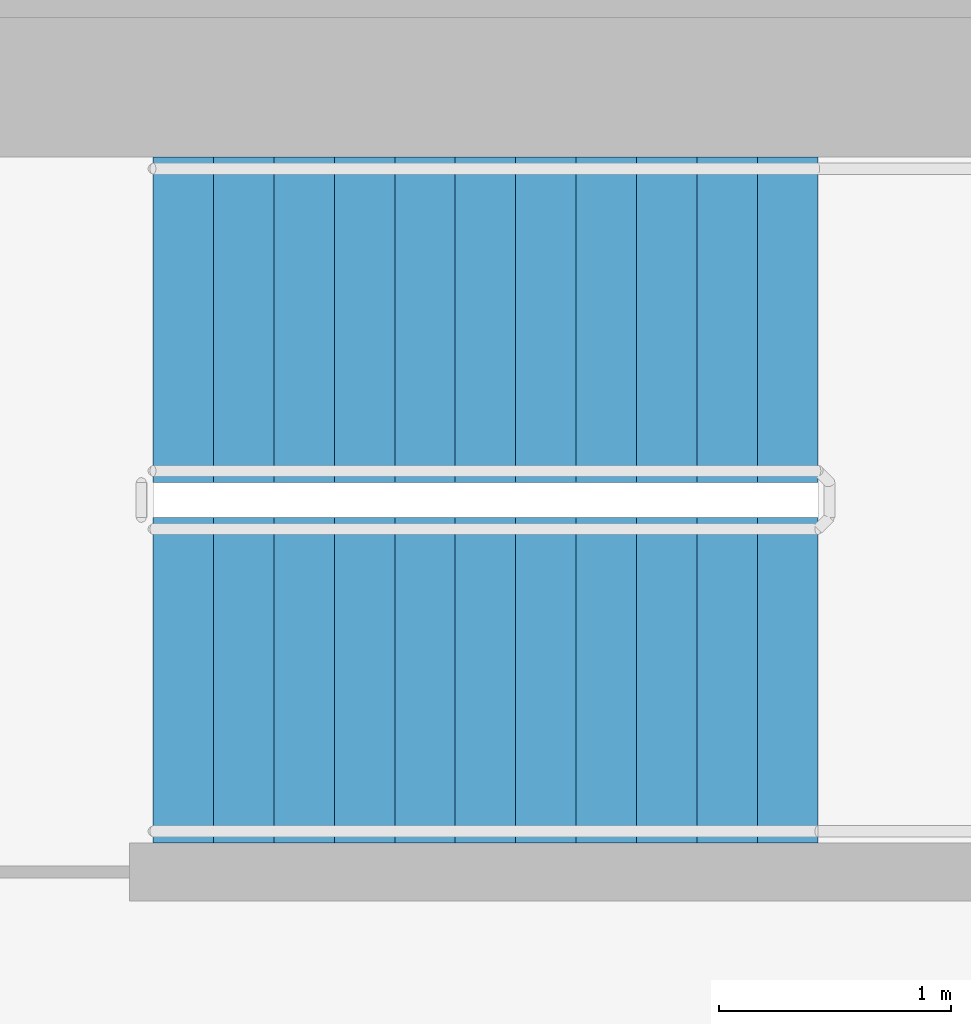
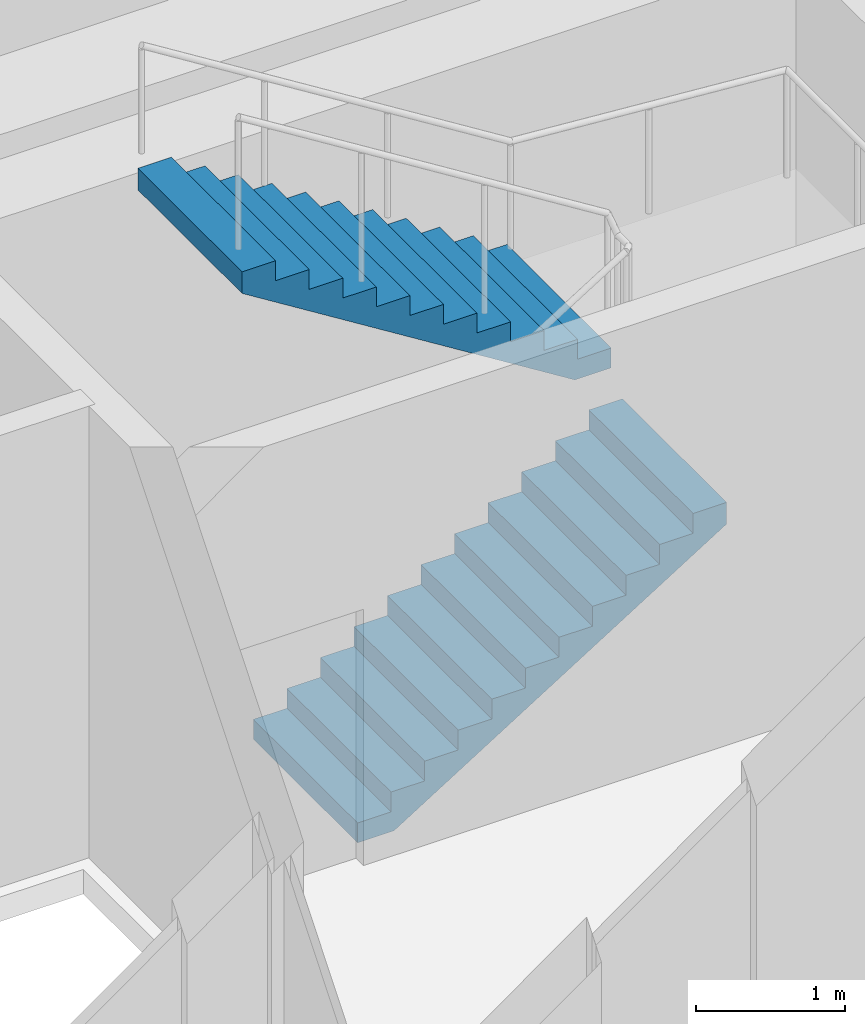
# One storey, part 9 of 10: 2 stair flights, 1 element without a shape of its own.
"""IFC4 building model written with IfcOpenShell, lengths in metres."""

import ifcopenshell
import ifcopenshell.guid

model = None  # the IFC model being written
_history = None  # IfcOwnerHistory: only IFC2X3 demands one
_inside = {}  # id of a spatial element -> (the spatial element, [elements in it])
_under = {}  # id of a project, library or spatial element -> (it, [spatial elements below it])
_declared = {}  # id of a project -> (the project, [libraries it declares])
_typed = {}  # id of a type object -> (the type object, [elements of that type])
_made_of = {}  # id of a material, layer set ... -> (it, [elements and type objects made of it])


def new_model(schema):
    """Start an empty IFC model of exactly this schema.

    Asked for "IFC4X3", IfcOpenShell would pick the latest addendum, in which some entities
    have other attributes; the version numbers below select the first issue.
    IFC2X3 requires an IfcOwnerHistory on every rooted entity: one is made here for all.
    """
    global model, _history
    if schema == "IFC4X3":
        model = ifcopenshell.file(schema_version=(4, 3, 0, 0))
    else:
        model = ifcopenshell.file(schema=schema)
    _inside.clear()
    _under.clear()
    _declared.clear()
    _typed.clear()
    _made_of.clear()
    _history = None
    if model.schema == "IFC2X3":
        org = make("IfcOrganization", Name="unknown")
        user = make(
            "IfcPersonAndOrganization",
            ThePerson=make("IfcPerson", FamilyName="unknown"),
            TheOrganization=org,
        )
        app = make(
            "IfcApplication",
            ApplicationDeveloper=org,
            Version="unknown",
            ApplicationFullName="unknown",
            ApplicationIdentifier="unknown",
        )
        _history = make(
            "IfcOwnerHistory",
            OwningUser=user,
            OwningApplication=app,
            ChangeAction="ADDED",
            CreationDate=0,
        )
    return model


def make(cls, **values):
    """One entity of the class cls with the attributes given. An attribute that is None is left unset."""
    return model.create_entity(
        cls, **{name: value for name, value in values.items() if value is not None}
    )


def rooted(cls, **values):
    """An entity with a GlobalId (a new one), such as an element, a storey or a relation."""
    return make(cls, GlobalId=ifcopenshell.guid.new(), OwnerHistory=_history, **values)


def si_unit(unit_type, name, prefix=None):
    """IfcSIUnit, for example si_unit("LENGTHUNIT", "METRE", prefix="MILLI")."""
    return make("IfcSIUnit", UnitType=unit_type, Prefix=prefix, Name=name)


def assignment(units):
    """IfcUnitAssignment: the units of a project."""
    return None if units is None else make("IfcUnitAssignment", Units=units)


def point(xyz):
    """IfcCartesianPoint."""
    return None if xyz is None else make("IfcCartesianPoint", Coordinates=xyz)


def direction(xyz):
    """IfcDirection."""
    return None if xyz is None else make("IfcDirection", DirectionRatios=xyz)


def frame(location, z_axis=None, x_axis=None):
    """IfcAxis2Placement3D, a coordinate frame: its origin and axes. An axis left out is left unset."""
    return make(
        "IfcAxis2Placement3D",
        Location=point(location),
        Axis=direction(z_axis),
        RefDirection=direction(x_axis),
    )


def origin():
    """The frame at (0, 0, 0) with its axes left unset."""
    return frame((0.0, 0.0, 0.0))


def place(relative_to, where):
    """IfcLocalPlacement: puts the frame where relative to a parent placement (None: the world)."""
    return make(
        "IfcLocalPlacement", PlacementRelTo=relative_to, RelativePlacement=where
    )


def context(
    kind, dimensions, precision=None, world=None, true_north=None, identifier=None
):
    """IfcGeometricRepresentationContext, for example the 3D "Model" context."""
    return make(
        "IfcGeometricRepresentationContext",
        ContextIdentifier=identifier,
        ContextType=kind,
        CoordinateSpaceDimension=dimensions,
        Precision=precision,
        WorldCoordinateSystem=world,
        TrueNorth=true_north,
    )


def subcontext(parent, identifier, kind, view, scale=None):
    """IfcGeometricRepresentationSubContext, for example "Body" below "Model"."""
    return make(
        "IfcGeometricRepresentationSubContext",
        ContextIdentifier=identifier,
        ContextType=kind,
        ParentContext=parent,
        TargetScale=scale,
        TargetView=view,
    )


def project(units=None, contexts=None):
    """IfcProject with its units and contexts."""
    return rooted(
        "IfcProject",
        Name="project",
        RepresentationContexts=contexts,
        UnitsInContext=assignment(units),
    )


def spatial(cls, under=None, at=None, **own):
    """A site, building, storey or space (cls), placed at a placement, below another one or the project."""
    s = rooted(cls, ObjectPlacement=at, **own)
    if under is not None:
        _under.setdefault(under.id(), (under, []))[1].append(s)
    return s


def polyline(points):
    """IfcPolyline through the points."""
    return make("IfcPolyline", Points=[point(p) for p in points])


def outline(outer, holes=None, kind="AREA"):
    """IfcArbitraryClosedProfileDef: a profile drawn as a closed curve; with holes, ...WithVoids."""
    if holes is None:
        return make("IfcArbitraryClosedProfileDef", ProfileType=kind, OuterCurve=outer)
    return make(
        "IfcArbitraryProfileDefWithVoids",
        ProfileType=kind,
        OuterCurve=outer,
        InnerCurves=holes,
    )


def extrude(swept, where, along, depth):
    """IfcExtrudedAreaSolid: the profile swept, set in the frame where, extruded along a direction by depth."""
    return make(
        "IfcExtrudedAreaSolid",
        SweptArea=swept,
        Position=where,
        ExtrudedDirection=direction(along),
        Depth=depth,
    )


def shape(context_of_items, identifier, shape_type, items):
    """IfcShapeRepresentation: the items that make up one representation, for example the "Body"."""
    return make(
        "IfcShapeRepresentation",
        ContextOfItems=context_of_items,
        RepresentationIdentifier=identifier,
        RepresentationType=shape_type,
        Items=items,
    )


def material(Name=None, Category=None):
    """IfcMaterial."""
    return make("IfcMaterial", Name=Name, Category=Category)


def made_of(thing, what):
    """Note that an element or type object is made of a material, layer set ...; save() writes the relation."""
    if what is not None:
        _made_of.setdefault(what.id(), (what, []))[1].append(thing)
    return thing


def type_object(cls, material=None, **own):
    """A type object (cls), such as IfcWallType, which elements share."""
    return made_of(rooted(cls, **own), material)


def element(
    cls,
    number,
    at=None,
    inside=None,
    cuts=None,
    type_object=None,
    material=None,
    context=None,
    identifier="Body",
    shape_type=None,
    held_by="IfcProductDefinitionShape",
    body=None,
    shapes=None,
    **own,
):
    """One element of the class cls, such as IfcWall. Its Tag is "e" and its number.

    at: its placement. inside: the storey or other place that contains it. cuts: it is an
    opening in that element (IfcRelVoidsElement). A single representation is given by context,
    identifier, shape_type and body (its items); several are given by shapes. held_by: the class
    of the entity that holds the representations. save() writes the other relations.
    """
    e = rooted(cls, Tag="e%d" % number, ObjectPlacement=at, **own)
    if body is not None:
        shapes = [shape(context, identifier, shape_type, body)]
    if shapes is not None:
        e.Representation = make(held_by, Representations=shapes)
    if inside is not None:
        _inside.setdefault(inside.id(), (inside, []))[1].append(e)
    if cuts is not None:
        rooted(
            "IfcRelVoidsElement", RelatingBuildingElement=cuts, RelatedOpeningElement=e
        )
    if type_object is not None:
        _typed.setdefault(type_object.id(), (type_object, []))[1].append(e)
    return made_of(e, material)


def aggregate(whole, parts):
    """IfcRelAggregates: a whole, such as a stair, and the parts it consists of."""
    return rooted("IfcRelAggregates", RelatingObject=whole, RelatedObjects=parts)


def save(model, path):
    """Write the relations noted so far, then the file.

    IfcRelAggregates (storeys below a building ...), IfcRelContainedInSpatialStructure (elements
    in a storey), IfcRelDefinesByType, IfcRelAssociatesMaterial and IfcRelDeclares: one each for
    every whole, place, type object, material and project.
    """
    for whole, parts in _under.values():
        aggregate(whole, parts)
    for where, things in _inside.values():
        rooted(
            "IfcRelContainedInSpatialStructure",
            RelatedElements=things,
            RelatingStructure=where,
        )
    for kind, things in _typed.values():
        rooted("IfcRelDefinesByType", RelatedObjects=things, RelatingType=kind)
    for what, things in _made_of.values():
        rooted("IfcRelAssociatesMaterial", RelatedObjects=things, RelatingMaterial=what)
    for by, libraries in _declared.values():
        rooted("IfcRelDeclares", RelatingContext=by, RelatedDefinitions=libraries)
    model.write(path)


model = new_model("IFC4")

# Units and contexts
model_context = context("Model", 3, precision=1e-05, world=origin(), true_north=direction((0.0, 1.0)))
body_context = subcontext(model_context, "Body", "Model", "MODEL_VIEW")
ifc_project = project(units=[si_unit("LENGTHUNIT", "METRE"), si_unit("AREAUNIT", "SQUARE_METRE"), si_unit("VOLUMEUNIT", "CUBIC_METRE"), si_unit("PLANEANGLEUNIT", "RADIAN"), si_unit("MASSUNIT", "GRAM", prefix="KILO")], contexts=[model_context])

# Site, building, storey
site_placement = place(None, origin())
site = spatial("IfcSite", under=ifc_project, at=site_placement, CompositionType="ELEMENT")
building_placement = place(site_placement, origin())
building = spatial("IfcBuilding", under=site, at=building_placement, Name="Rubra Terraces Tower", CompositionType="ELEMENT")
storey_placement = place(building_placement, frame((0.0, 0.0, 296.10009765625)))
storey = spatial("IfcBuildingStorey", under=building, at=storey_placement, Name="L73", CompositionType="ELEMENT", Elevation=296.10009765625)

# Stair, stair flights
ifc_material = material(Name="Concrete C40", Category="concrete")
stair_type = type_object("IfcStairType", Name="Core stair 1400", PredefinedType="HALF_TURN_STAIR", material=ifc_material)
stair_placement = place(storey_placement, origin())
stair = element("IfcStair", 1, at=stair_placement, inside=storey, type_object=stair_type, Name="L73 Exit stair S3", PredefinedType="HALF_TURN_STAIR")
stair_flight_type = type_object("IfcStairFlightType", Name="Core stair flight 1400", PredefinedType="STRAIGHT", material=ifc_material)
stair_flight_1_placement = place(storey_placement, frame((6.5, 8.35009765625, 0.0), z_axis=(0.0, 0.0, 1.0), x_axis=(1.0, 0.0, 0.0)))
stair_flight_1 = element("IfcStairFlight", 2, at=stair_flight_1_placement, type_object=stair_flight_type, Name="S3 flight 1", NumberOfRisers=12, NumberOfTreads=11, PredefinedType="STRAIGHT", RiserHeight=0.1625, TreadLength=0.26, context=body_context, shape_type="SweptSolid", body=[
    extrude(outline(polyline([(0.0, 0.0), (0.0, 0.16259765625), (0.260009765625, 0.16259765625), (0.260009765625, 0.324951171875), (0.52001953125, 0.324951171875), (0.52001953125, 0.487548828125), (0.780029296875, 0.487548828125), (0.780029296875, 0.64990234375), (1.0400390625, 0.64990234375), (1.0400390625, 0.8125), (1.300048828125, 0.8125), (1.300048828125, 0.97509765625), (1.56005859375, 0.97509765625), (1.56005859375, 1.137451171875), (1.820068359375, 1.137451171875), (1.820068359375, 1.300048828125), (2.080078125, 1.300048828125), (2.080078125, 1.46240234375), (2.340087890625, 1.46240234375), (2.340087890625, 1.625), (2.60009765625, 1.625), (2.60009765625, 1.78759765625), (2.860107421875, 1.78759765625), (2.860107421875, 1.949951171875), (2.860107421875, 1.61083984375), (0.28271484375, 0.0), (0.0, 0.0)])), frame((0.0, 0.699951171875, 0.0), z_axis=(0.0, -1.0, 0.0), x_axis=(1.0, 0.0, 0.0)), (0.0, 0.0, 1.0), 1.39990234375),
])
stair_flight_2_placement = place(storey_placement, frame((9.360107421875, 9.89990234375, 1.949951171875), z_axis=(0.0, 0.0, 1.0), x_axis=(-1.0, 0.0, 0.0)))
stair_flight_2 = element("IfcStairFlight", 3, at=stair_flight_2_placement, type_object=stair_flight_type, Name="S3 flight 2", NumberOfRisers=12, NumberOfTreads=11, PredefinedType="STRAIGHT", RiserHeight=0.1625, TreadLength=0.26, context=body_context, shape_type="SweptSolid", body=[
    extrude(outline(polyline([(0.0, 0.0), (0.0, 0.16259765625), (0.260009765625, 0.16259765625), (0.260009765625, 0.324951171875), (0.52001953125, 0.324951171875), (0.52001953125, 0.487548828125), (0.780029296875, 0.487548828125), (0.780029296875, 0.64990234375), (1.0400390625, 0.64990234375), (1.0400390625, 0.8125), (1.300048828125, 0.8125), (1.300048828125, 0.97509765625), (1.56005859375, 0.97509765625), (1.56005859375, 1.137451171875), (1.820068359375, 1.137451171875), (1.820068359375, 1.300048828125), (2.080078125, 1.300048828125), (2.080078125, 1.46240234375), (2.340087890625, 1.46240234375), (2.340087890625, 1.625), (2.60009765625, 1.625), (2.60009765625, 1.78759765625), (2.860107421875, 1.78759765625), (2.860107421875, 1.949951171875), (2.860107421875, 1.61083984375), (0.28271484375, 0.0), (0.0, 0.0)])), frame((0.0, 0.699951171875, 0.0), z_axis=(0.0, -1.0, 0.0), x_axis=(1.0, 0.0, 0.0)), (0.0, 0.0, 1.0), 1.39990234375),
])
aggregate(stair, [stair_flight_1, stair_flight_2])

save(model, "model.ifc")
